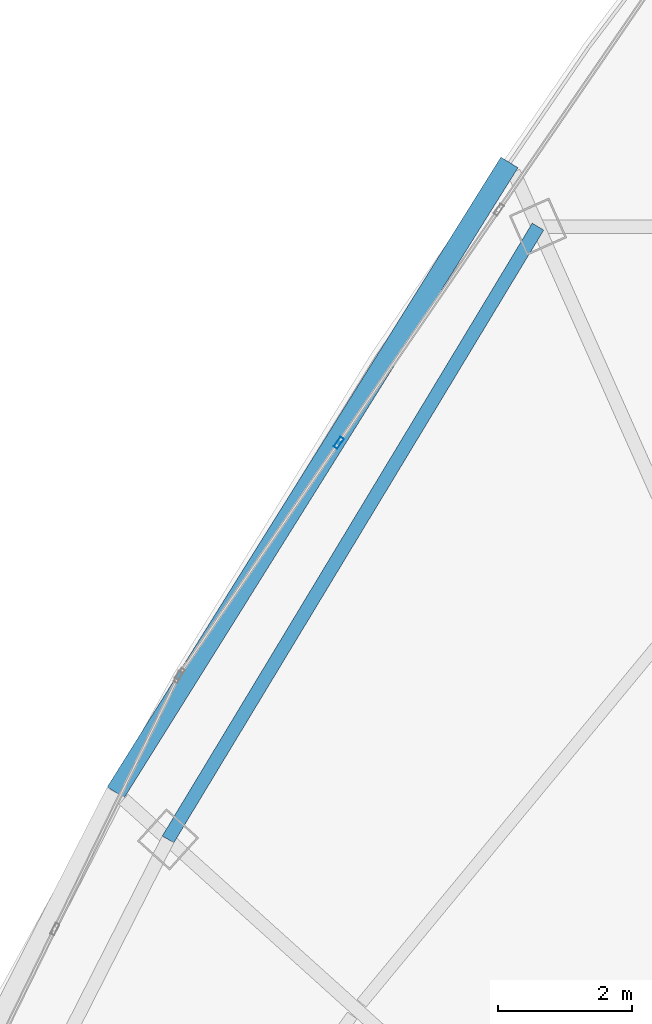
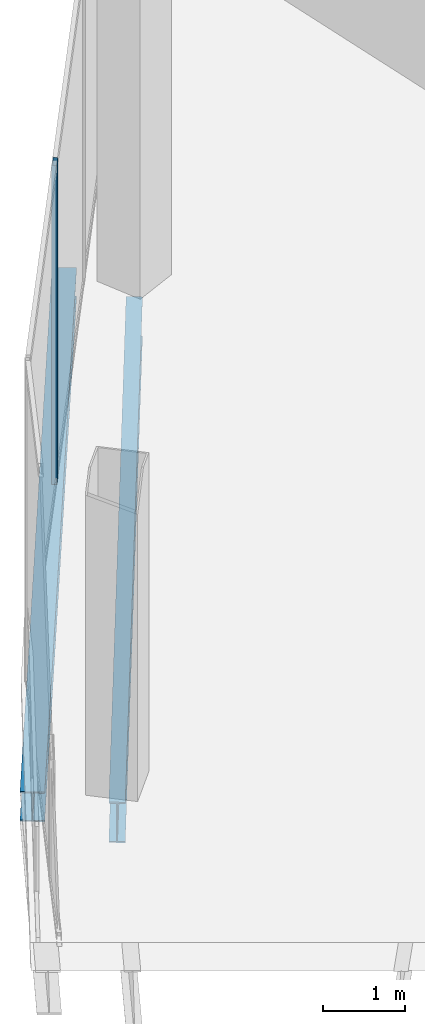
# One storey, part 12 of 33: 2 beams, 1 member, 1 element without a shape of its own.
"""IFC4 building model written with IfcOpenShell, lengths in metres."""

from ifc_helpers import new_model, si_unit, direction, frame, origin, origin_2d, place, context, subcontext, project, spatial, hollow_rectangle, i_section, extrude, source, transform, mapped, material, layer, layer_set, material_profile, profile_set, type_object, element, aggregate, save


model = new_model("IFC4")

# Units and contexts
model_context = context("Model", 3, precision=1e-05, world=origin(), true_north=direction((0.0, 1.0)))
body_context = subcontext(model_context, "Body", "Model", "MODEL_VIEW")
ifc_project = project(units=[si_unit("LENGTHUNIT", "METRE"), si_unit("AREAUNIT", "SQUARE_METRE"), si_unit("VOLUMEUNIT", "CUBIC_METRE"), si_unit("PLANEANGLEUNIT", "RADIAN"), si_unit("MASSUNIT", "GRAM", prefix="KILO"), si_unit("THERMODYNAMICTEMPERATUREUNIT", "KELVIN"), si_unit("POWERUNIT", "WATT")], contexts=[model_context])

# Site, building, storey
site_placement = place(None, origin())
site = spatial("IfcSite", under=ifc_project, at=site_placement, CompositionType="ELEMENT")
building_placement = place(site_placement, origin())
building = spatial("IfcBuilding", under=site, at=building_placement, Name="Yunzhuo Pagoda Commons", CompositionType="ELEMENT")
storey_placement = place(building_placement, frame((0.0, 0.0, 386.760009765625)))
storey = spatial("IfcBuildingStorey", under=building, at=storey_placement, Name="L96", CompositionType="ELEMENT", Elevation=386.760009765625)

# Beams
ifc_material_1 = material(Name="Structural steel Q355B", Category="steel")
ifc_material_profile_1 = material_profile(ifc_material_1, i_section(OverallWidth=0.199951171875, OverallDepth=0.60009765625, WebThickness=0.010986328125, FlangeThickness=0.01708984375, at=origin_2d()), Name="Structural steel Q355B")
ifc_profile_set_1 = profile_set([ifc_material_profile_1], Name="Structural steel Q355B")
beam_type_1 = type_object("IfcBeamType", Name="B-RG3 Beam HN 600x200x11x17", PredefinedType="BEAM", material=ifc_profile_set_1)
shared_shape_1 = source(origin(), body_context, "Body", "SweptSolid", [
    extrude(i_section(OverallWidth=0.199951171875, OverallDepth=0.60009765625, WebThickness=0.010986328125, FlangeThickness=0.01708984375, at=origin_2d()), origin(), (0.0, 0.0, 1.0), 10.691162109375),
])
beam_1_placement = place(storey_placement, frame((37.501220703125, 57.281005859375, -0.580078125), z_axis=(-0.516864678433, -0.856067114301, 0.0), x_axis=(0.856067114301, -0.516864678433, 0.0)))
element("IfcBeam", 1, at=beam_1_placement, inside=storey, type_object=beam_type_1, Name="L96 column-ring beam 9", PredefinedType="BEAM", context=body_context, shape_type="MappedRepresentation", body=[
    mapped(shared_shape_1, transform((0.0, 0.0, 0.0), scale=1.0)),
])
ifc_material_profile_2 = material_profile(ifc_material_1, i_section(OverallWidth=0.300048828125, OverallDepth=0.43994140625, WebThickness=0.010986328125, FlangeThickness=0.01806640625, at=origin_2d()), Name="Structural steel Q355B")
ifc_profile_set_2 = profile_set([ifc_material_profile_2], Name="Structural steel Q355B")
beam_type_2 = type_object("IfcBeamType", Name="B-SP2 Beam HM 440x300x11x18", PredefinedType="BEAM", material=ifc_profile_set_2)
shared_shape_2 = source(origin(), body_context, "Body", "SweptSolid", [
    extrude(i_section(OverallWidth=0.300048828125, OverallDepth=0.43994140625, WebThickness=0.010986328125, FlangeThickness=0.01806640625, at=origin_2d()), origin(), (0.0, 0.0, 1.0), 11.094482421875),
])
beam_2_placement = place(storey_placement, frame((37.07421875, 58.239990234375, -0.5), z_axis=(-0.529915860294, -0.848050223164, 0.0), x_axis=(0.848050223164, -0.529915860294, 0.0)))
element("IfcBeam", 2, at=beam_2_placement, inside=storey, type_object=beam_type_2, Name="L96 facade edge spandrel beam F3.1", PredefinedType="BEAM", context=body_context, shape_type="MappedRepresentation", body=[
    mapped(shared_shape_2, transform((0.0, 0.0, 0.0), scale=1.0)),
])

# Curtain wall, member
ifc_material_2 = material(Name="Anodized aluminium 6063-T6", Category="aluminium")
ifc_layer = layer(ifc_material_2, 0.179931640625)
ifc_layer_set = layer_set([ifc_layer], Name="Anodized aluminium 6063-T6")
curtain_wall_type = type_object("IfcCurtainWallType", Name="CW-CRN Crown Gable Glazing System", PredefinedType="NOTDEFINED", material=ifc_layer_set)
curtain_wall_placement = place(storey_placement, origin())
curtain_wall = element("IfcCurtainWall", 3, at=curtain_wall_placement, inside=storey, type_object=curtain_wall_type, Name="L96 curtain wall CW-L96-CRNF3G1", PredefinedType="NOTDEFINED")
ifc_material_profile_3 = material_profile(ifc_material_2, hollow_rectangle(XDim=0.06494140625, YDim=0.179931640625, WallThickness=0.00390625, at=origin_2d()), Name="Anodized aluminium 6063-T6")
ifc_profile_set_3 = profile_set([ifc_material_profile_3], Name="Anodized aluminium 6063-T6")
member_type = type_object("IfcMemberType", Name="CW-CRN-M Mullion RHS 180x65x4", PredefinedType="MULLION", material=ifc_profile_set_3)
shared_shape_3 = source(origin(), body_context, "Body", "SweptSolid", [
    extrude(hollow_rectangle(XDim=0.06494140625, YDim=0.179931640625, WallThickness=0.00390625, at=origin_2d()), origin(), (0.0, 0.0, 1.0), 4.72021484375),
])
member_placement = place(storey_placement, frame((34.525390625, 54.05322265625, 0.0), z_axis=(0.0, 0.0, 1.0), x_axis=(0.824296116005, -0.566158911561, 0.0)))
member = element("IfcMember", 4, at=member_placement, type_object=member_type, Name="CW mullion 4", PredefinedType="MULLION", context=body_context, shape_type="MappedRepresentation", body=[
    mapped(shared_shape_3, transform((0.0, 0.0, 0.0), scale=1.0)),
])
aggregate(curtain_wall, [member])

save(model, "model.ifc")
